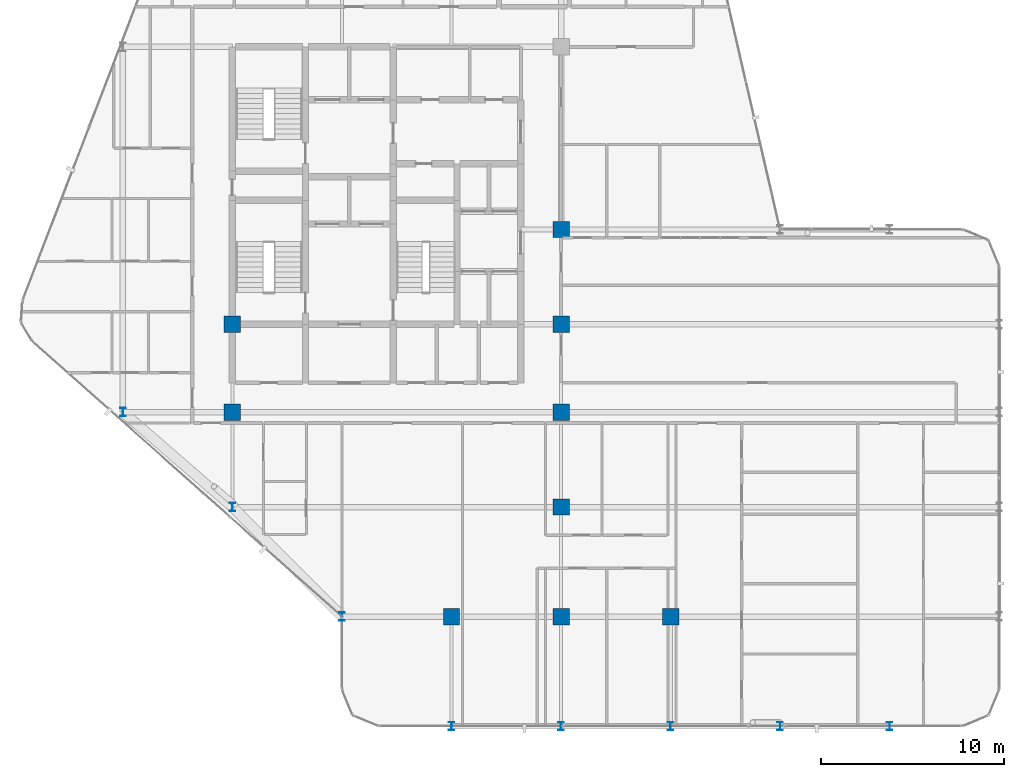
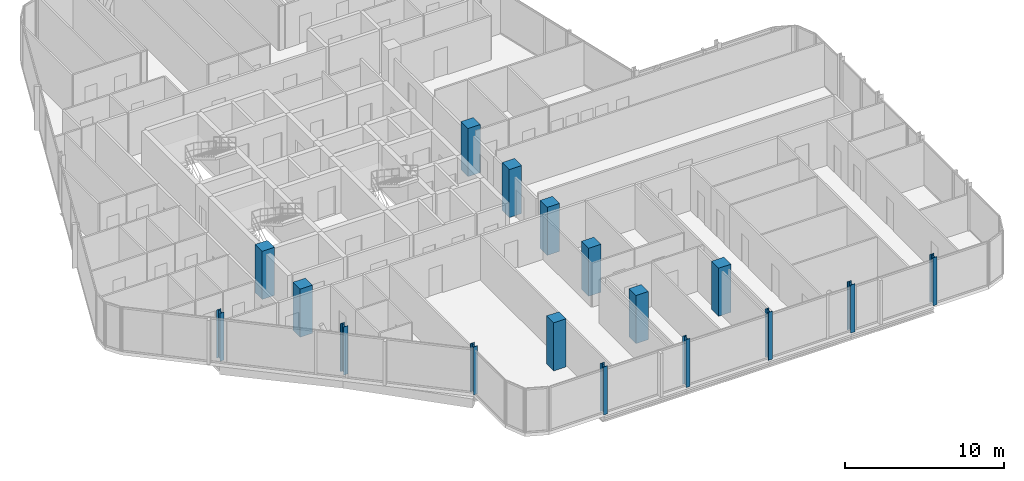
# One storey, part 1 of 29: 17 columns.
"""IFC4 building model written with IfcOpenShell, lengths in metres."""

from ifc_helpers import new_model, si_unit, direction, frame, origin, origin_2d, place, context, subcontext, project, spatial, rectangle, i_section, extrude, material, material_profile, profile_set, type_object, element, save


model = new_model("IFC4")

# Units and contexts
model_context = context("Model", 3, precision=1e-05, world=origin(), true_north=direction((0.0, 1.0)))
body_context = subcontext(model_context, "Body", "Model", "MODEL_VIEW")
ifc_project = project(units=[si_unit("LENGTHUNIT", "METRE"), si_unit("AREAUNIT", "SQUARE_METRE"), si_unit("VOLUMEUNIT", "CUBIC_METRE"), si_unit("PLANEANGLEUNIT", "RADIAN"), si_unit("MASSUNIT", "GRAM", prefix="KILO")], contexts=[model_context])

# Site, building, storey
site_placement = place(None, origin())
site = spatial("IfcSite", under=ifc_project, at=site_placement, CompositionType="ELEMENT")
building_placement = place(site_placement, origin())
building = spatial("IfcBuilding", under=site, at=building_placement, Name="Keshet Zoharim Tower", CompositionType="ELEMENT")
storey_placement = place(building_placement, frame((0.0, 0.0, 203.199951171875)))
storey = spatial("IfcBuildingStorey", under=building, at=storey_placement, Name="L50", CompositionType="ELEMENT", Elevation=203.199951171875)

# Columns
ifc_material_1 = material(Name="Steel S355", Category="steel")
ifc_material_profile_1 = material_profile(ifc_material_1, i_section(OverallWidth=0.300048828125, OverallDepth=0.449951171875, WebThickness=0.013916015625, FlangeThickness=0.02587890625, FilletRadius=0.027099609375, at=origin_2d()), Name="HEB450")
ifc_profile_set_1 = profile_set([ifc_material_profile_1], Name="Steel S355")
column_type_1 = type_object("IfcColumnType", Name="COL-HEB450", PredefinedType="COLUMN", material=ifc_profile_set_1)
for number, where, z_axis, x_axis, name in (
    (1, (9.0, 17.89990234375, 0.0), (0.0, 0.0, 1.0), (1.0, 0.0, 0.0), "L50 Column 2D"),
    (2, (15.0, 12.699951171875, 0.0), (0.0, 0.0, 1.0), (1.0, 0.0, 0.0), "L50 Column 3C"),
    (3, (21.0, 6.699951171875, 0.0), (0.0, 0.0, 1.0), (1.0, 0.0, 0.0), "L50 Column 4B"),
    (4, (27.0, 0.699951171875, 0.0), (0.0, 0.0, 1.0), (1.0, 0.0, 0.0), "L50 Column 5A"),
    (5, (33.0, 0.699951171875, 0.0), (0.0, 0.0, 1.0), (1.0, 0.0, 0.0), "L50 Column 6A"),
    (6, (39.0, 0.699951171875, 0.0), (0.0, 0.0, 1.0), (1.0, 0.0, 0.0), "L50 Column 7A"),
    (7, (45.0, 0.699951171875, 0.0), (0.0, 0.0, 1.0), (1.0, 0.0, 0.0), "L50 Column 8A"),
    (8, (51.0, 0.699951171875, 0.0), (0.0, 0.0, 1.0), (1.0, 0.0, 0.0), "L50 Column 9A"),
):
    element("IfcColumn", number, at=place(storey_placement, frame(where, z_axis=z_axis, x_axis=x_axis)), inside=storey, type_object=column_type_1, Name=name, PredefinedType="COLUMN", context=body_context, shape_type="SweptSolid", body=[
        extrude(i_section(OverallWidth=0.300048828125, OverallDepth=0.449951171875, WebThickness=0.013916015625, FlangeThickness=0.02587890625, FilletRadius=0.027099609375, at=origin_2d()), origin(), (0.0, 0.0, 1.0), 3.699951171875),
    ])
ifc_material_2 = material(Name="Concrete C60/75", Category="concrete")
ifc_material_profile_2 = material_profile(ifc_material_2, rectangle(XDim=0.89990234375, YDim=0.89990234375, at=origin_2d()), Name="RC900x900")
ifc_profile_set_2 = profile_set([ifc_material_profile_2], Name="Concrete C60/75")
column_type_2 = type_object("IfcColumnType", Name="COL-RC900", PredefinedType="COLUMN", material=ifc_profile_set_2)
for number, where, z_axis, x_axis, name in (
    (9, (15.0, 17.89990234375, 0.0), (0.0, 0.0, 1.0), (1.0, 0.0, 0.0), "L50 Column 3D"),
    (10, (15.0, 22.699951171875, 0.0), (0.0, 0.0, 1.0), (1.0, 0.0, 0.0), "L50 Column 3E"),
    (11, (27.0, 6.699951171875, 0.0), (0.0, 0.0, 1.0), (1.0, 0.0, 0.0), "L50 Column 5B"),
    (12, (33.0, 6.699951171875, 0.0), (0.0, 0.0, 1.0), (1.0, 0.0, 0.0), "L50 Column 6B"),
    (13, (33.0, 12.699951171875, 0.0), (0.0, 0.0, 1.0), (1.0, 0.0, 0.0), "L50 Column 6C"),
    (14, (33.0, 17.89990234375, 0.0), (0.0, 0.0, 1.0), (1.0, 0.0, 0.0), "L50 Column 6D"),
    (15, (33.0, 22.699951171875, 0.0), (0.0, 0.0, 1.0), (1.0, 0.0, 0.0), "L50 Column 6E"),
    (16, (33.0, 27.89990234375, 0.0), (0.0, 0.0, 1.0), (1.0, 0.0, 0.0), "L50 Column 6F"),
    (17, (39.0, 6.699951171875, 0.0), (0.0, 0.0, 1.0), (1.0, 0.0, 0.0), "L50 Column 7B"),
):
    element("IfcColumn", number, at=place(storey_placement, frame(where, z_axis=z_axis, x_axis=x_axis)), inside=storey, type_object=column_type_2, Name=name, PredefinedType="COLUMN", context=body_context, shape_type="SweptSolid", body=[
        extrude(rectangle(XDim=0.89990234375, YDim=0.89990234375, at=origin_2d()), origin(), (0.0, 0.0, 1.0), 3.699951171875),
    ])

save(model, "model.ifc")
